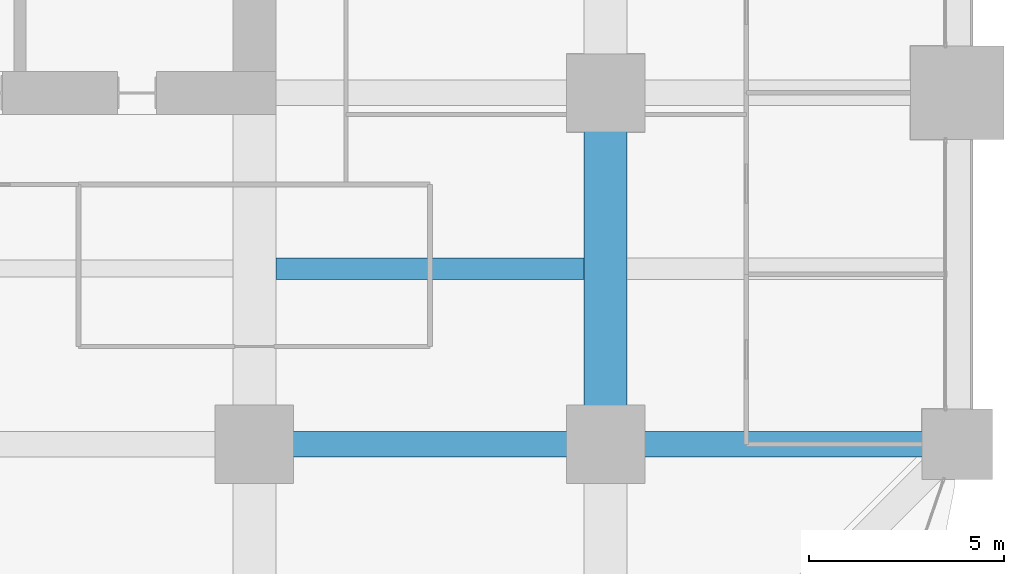
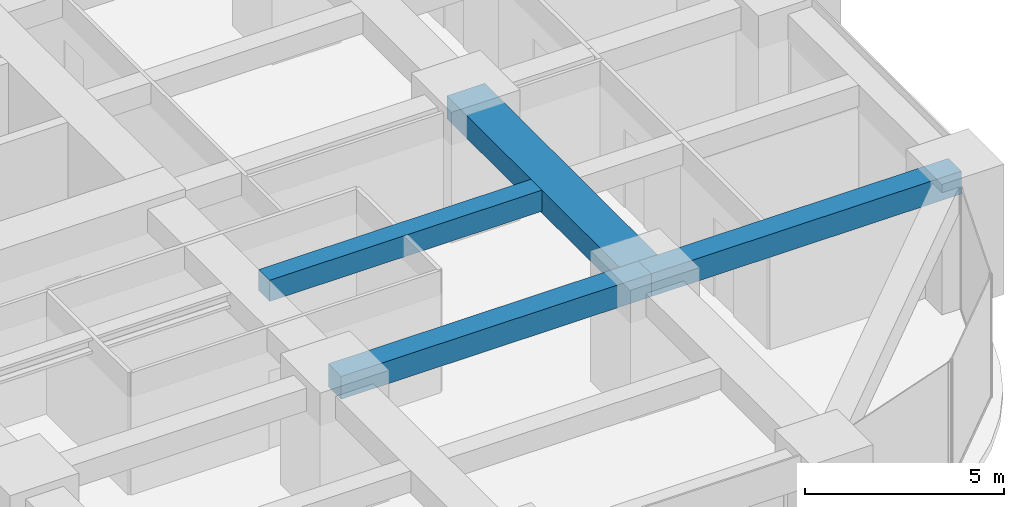
# One storey, part 18 of 41: 4 beams.
"""IFC4 building model written with IfcOpenShell, lengths in metres."""

from ifc_helpers import new_model, si_unit, direction, frame, origin, origin_2d, place, context, subcontext, project, spatial, rectangle, extrude, material, material_profile, profile_set, type_object, element, save


model = new_model("IFC4")

# Units and contexts
model_context = context("Model", 3, precision=1e-05, world=origin(), true_north=direction((0.0, 1.0)))
body_context = subcontext(model_context, "Body", "Model", "MODEL_VIEW")
ifc_project = project(units=[si_unit("LENGTHUNIT", "METRE"), si_unit("AREAUNIT", "SQUARE_METRE"), si_unit("VOLUMEUNIT", "CUBIC_METRE"), si_unit("PLANEANGLEUNIT", "RADIAN"), si_unit("MASSUNIT", "GRAM", prefix="KILO")], contexts=[model_context])

# Site, building, storey
site_placement = place(None, origin())
site = spatial("IfcSite", under=ifc_project, at=site_placement, CompositionType="ELEMENT")
building_placement = place(site_placement, origin())
building = spatial("IfcBuilding", under=site, at=building_placement, Name="Zorevar Civic Tower", CompositionType="ELEMENT")
storey_placement = place(building_placement, frame((0.0, 0.0, 113.0)))
storey = spatial("IfcBuildingStorey", under=building, at=storey_placement, Name="L27", CompositionType="ELEMENT", Elevation=113.0)

# Beams
ifc_material_1 = material(Name="Concrete C50/60", Category="concrete")
ifc_material_profile_1 = material_profile(ifc_material_1, rectangle(XDim=1.10009765625, YDim=0.699951171875, at=origin_2d()), Name="RC 1100x700")
ifc_profile_set_1 = profile_set([ifc_material_profile_1], Name="Concrete C50/60")
beam_type_1 = type_object("IfcBeamType", Name="Beam RC 1100x700", PredefinedType="BEAM", material=ifc_profile_set_1)
beam_1_placement = place(storey_placement, frame((54.0, 9.0, 3.39990234375), z_axis=(0.0, 1.0, 0.0), x_axis=(-1.0, 0.0, 0.0)))
element("IfcBeam", 1, at=beam_1_placement, inside=storey, type_object=beam_type_1, Name="Girder L28", PredefinedType="BEAM", context=body_context, shape_type="SweptSolid", body=[
    extrude(rectangle(XDim=1.10009765625, YDim=0.699951171875, at=origin_2d()), origin(), (0.0, 0.0, 1.0), 9.0),
])
ifc_material_2 = material(Name="Concrete C50/60", Category="concrete")
ifc_material_profile_2 = material_profile(ifc_material_2, rectangle(XDim=0.550048828125, YDim=0.64990234375, at=origin_2d()), Name="RC 550x650")
ifc_profile_set_2 = profile_set([ifc_material_profile_2], Name="Concrete C50/60")
beam_type_2 = type_object("IfcBeamType", Name="Beam RC 550x650", PredefinedType="BEAM", material=ifc_profile_set_2)
beam_2_placement = place(storey_placement, frame((45.550048828125, 13.5, 3.425048828125), z_axis=(1.0, 0.0, 0.0), x_axis=(0.0, 1.0, 0.0)))
element("IfcBeam", 2, at=beam_2_placement, inside=storey, type_object=beam_type_2, Name="Secondary beam L28", PredefinedType="BEAM", context=body_context, shape_type="SweptSolid", body=[
    extrude(rectangle(XDim=0.550048828125, YDim=0.64990234375, at=origin_2d()), origin(), (0.0, 0.0, 1.0), 7.89990234375),
])
ifc_material_3 = material(Name="Concrete C50/60", Category="concrete")
ifc_material_profile_3 = material_profile(ifc_material_3, rectangle(XDim=0.64990234375, YDim=0.699951171875, at=origin_2d()), Name="RC 650x700")
ifc_profile_set_3 = profile_set([ifc_material_profile_3], Name="Concrete C50/60")
beam_type_3 = type_object("IfcBeamType", Name="Beam RC 650x700", PredefinedType="BEAM", material=ifc_profile_set_3)
for number, where, z_axis, x_axis, name in (
    (3, (45.0, 9.0, 3.39990234375), (1.0, 0.0, 0.0), (0.0, 1.0, 0.0), "Girder L28"),
    (4, (54.0, 9.0, 3.39990234375), (1.0, 0.0, 0.0), (0.0, 1.0, 0.0), "Girder L28"),
):
    element("IfcBeam", number, at=place(storey_placement, frame(where, z_axis=z_axis, x_axis=x_axis)), inside=storey, type_object=beam_type_3, Name=name, PredefinedType="BEAM", context=body_context, shape_type="SweptSolid", body=[
        extrude(rectangle(XDim=0.64990234375, YDim=0.699951171875, at=origin_2d()), origin(), (0.0, 0.0, 1.0), 9.0),
    ])

save(model, "model.ifc")
